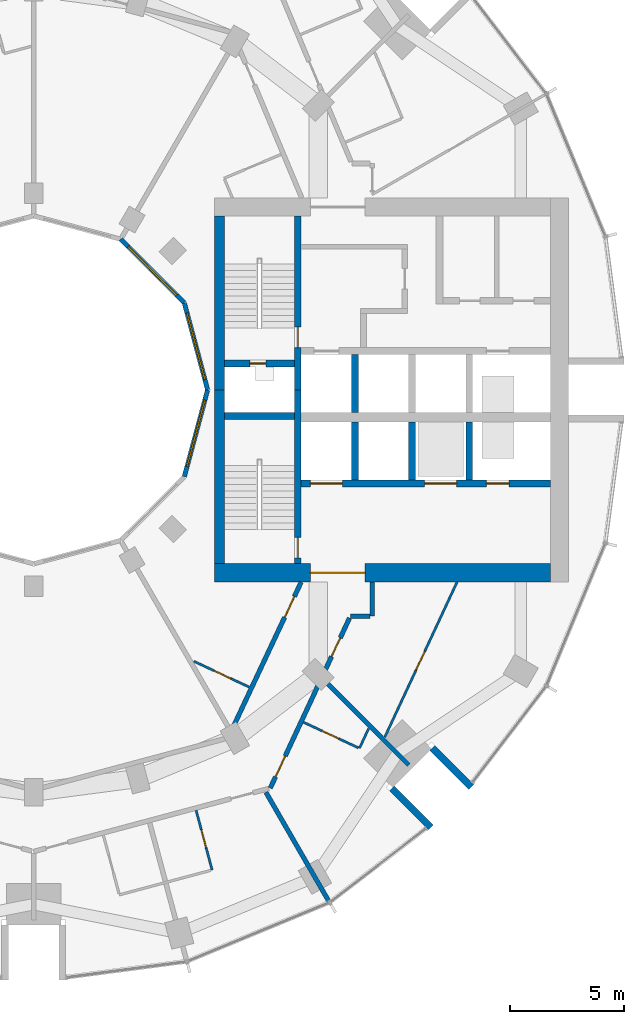
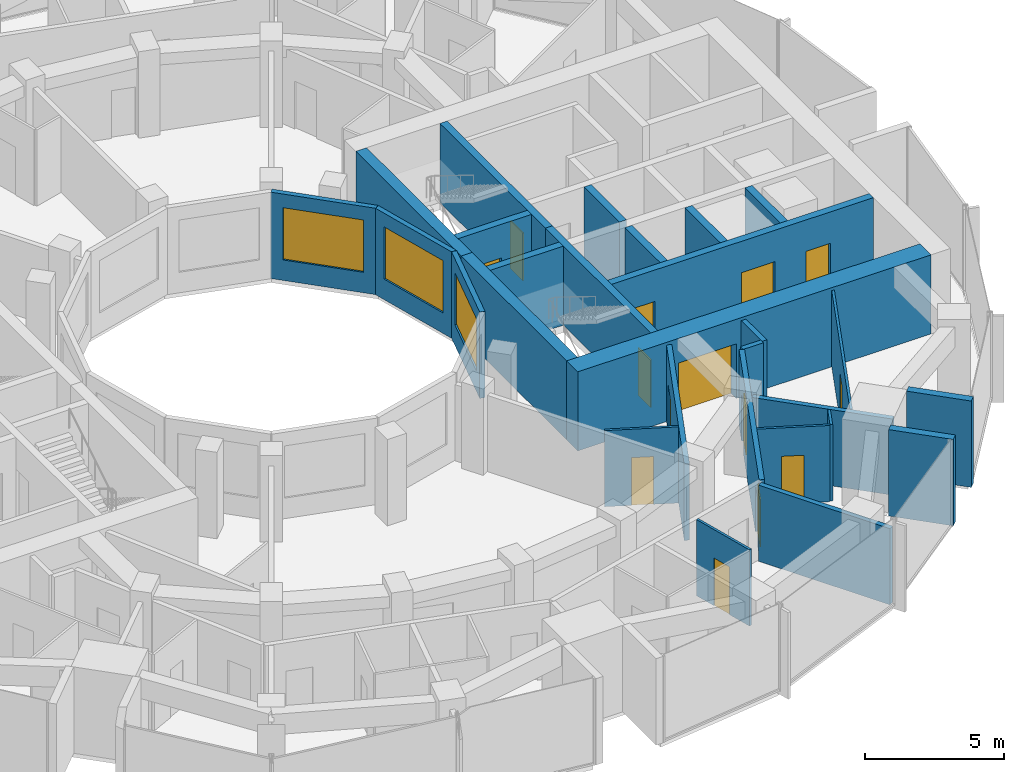
# One storey, part 10 of 15: 28 walls, 14 doors, 3 windows, 17 openings.
"""IFC4 building model written with IfcOpenShell, lengths in metres."""

from ifc_helpers import new_model, si_unit, direction, frame, frame_2d, origin, place, context, subcontext, project, spatial, rectangle, extrude, material, layer, layer_set, type_object, element, fill, save


model = new_model("IFC4")

# Units and contexts
model_context = context("Model", 3, precision=1e-05, world=origin(), true_north=direction((0.0, 1.0)))
body_context = subcontext(model_context, "Body", "Model", "MODEL_VIEW")
ifc_project = project(units=[si_unit("LENGTHUNIT", "METRE"), si_unit("AREAUNIT", "SQUARE_METRE"), si_unit("VOLUMEUNIT", "CUBIC_METRE"), si_unit("PLANEANGLEUNIT", "RADIAN"), si_unit("MASSUNIT", "GRAM", prefix="KILO")], contexts=[model_context])

# Site, building, storey
site_placement = place(None, origin())
site = spatial("IfcSite", under=ifc_project, at=site_placement, CompositionType="ELEMENT")
building_placement = place(site_placement, origin())
building = spatial("IfcBuilding", under=site, at=building_placement, Name="Torre Brocal", CompositionType="ELEMENT")
storey_placement = place(building_placement, frame((0.0, 0.0, 86.199951171875)))
storey = spatial("IfcBuildingStorey", under=building, at=storey_placement, Name="L19", CompositionType="ELEMENT", Elevation=86.199951171875)

# Wall, opening, door
ifc_material_1 = material(Name="Concrete C80", Category="concrete")
ifc_layer_1 = layer(ifc_material_1, 0.300048828125)
ifc_layer_set_1 = layer_set([ifc_layer_1], Name="Concrete C80")
wall_type_1 = type_object("IfcWallType", Name="CORE WALL 300 C80", PredefinedType="SHEAR", material=ifc_layer_set_1)
wall_1_placement = place(storey_placement, frame((91.550048828125, 75.0, 0.0), z_axis=(0.0, 0.0, 1.0), x_axis=(0.0, 1.0, 0.0)))
wall_1 = element("IfcWall", 1, at=wall_1_placement, inside=storey, type_object=wall_type_1, Name="Wall CW300-80", PredefinedType="SHEAR", context=body_context, shape_type="SweptSolid", body=[
    extrude(rectangle(XDim=7.60009765625, YDim=0.300048828125, at=frame_2d((3.800048828125, 0.0))), origin(), (0.0, 0.0, 1.0), 3.47998046875),
])
opening_1_placement = place(wall_1_placement, frame((1.85009765625, 0.0, 0.0)))
opening_1 = element("IfcOpeningElement", 2, at=opening_1_placement, cuts=wall_1, Name="Opening E-D02", PredefinedType="OPENING", context=body_context, shape_type="SweptSolid", body=[
    extrude(rectangle(XDim=0.89990234375, YDim=2.10009765625, at=frame_2d((0.449951171875, 1.050048828125))), frame((0.0, 0.159912109375, 0.0), z_axis=(0.0, -1.0, 0.0), x_axis=(1.0, 0.0, 0.0)), (0.0, 0.0, 1.0), 0.320068359375),
])
ifc_material_2 = material(Name="Steel A653", Category="steel")
door_type_1 = type_object("IfcDoorType", Name="STAIR DOOR FD120 900X2100", OperationType="SINGLE_SWING_RIGHT", PredefinedType="DOOR", material=ifc_material_2)
door_1_placement = place(opening_1_placement, origin())
door_1 = element("IfcDoor", 3, at=door_1_placement, inside=storey, type_object=door_type_1, Name="Door E-D02", OperationType="SINGLE_SWING_LEFT", OverallHeight=2.10009765625, OverallWidth=0.89990234375, PredefinedType="DOOR", context=body_context, shape_type="SweptSolid", body=[
    extrude(rectangle(XDim=0.89990234375, YDim=2.10009765625, at=frame_2d((0.449951171875, 1.050048828125))), frame((0.0, 0.02490234375, 0.0), z_axis=(0.0, -1.0, 0.0), x_axis=(1.0, 0.0, 0.0)), (0.0, 0.0, 1.0), 0.050048828125),
])
fill(opening_1, door_1)

wall_2_placement = place(storey_placement, frame((91.550048828125, 67.39990234375, 0.0), z_axis=(0.0, 0.0, 1.0), x_axis=(0.0, 1.0, 0.0)))
wall_2 = element("IfcWall", 4, at=wall_2_placement, inside=storey, type_object=wall_type_1, Name="Wall CW300-80", PredefinedType="SHEAR", context=body_context, shape_type="SweptSolid", body=[
    extrude(rectangle(XDim=7.60009765625, YDim=0.300048828125, at=frame_2d((3.800048828125, 0.0))), origin(), (0.0, 0.0, 1.0), 3.47998046875),
])
opening_2_placement = place(wall_2_placement, frame((0.25, 0.0, 0.0)))
opening_2 = element("IfcOpeningElement", 5, at=opening_2_placement, cuts=wall_2, Name="Opening E-D03", PredefinedType="OPENING", context=body_context, shape_type="SweptSolid", body=[
    extrude(rectangle(XDim=0.89990234375, YDim=2.10009765625, at=frame_2d((0.449951171875, 1.050048828125))), frame((0.0, 0.159912109375, 0.0), z_axis=(0.0, -1.0, 0.0), x_axis=(1.0, 0.0, 0.0)), (0.0, 0.0, 1.0), 0.320068359375),
])
door_2_placement = place(opening_2_placement, origin())
door_2 = element("IfcDoor", 6, at=door_2_placement, inside=storey, type_object=door_type_1, Name="Door E-D03", OperationType="SINGLE_SWING_LEFT", OverallHeight=2.10009765625, OverallWidth=0.89990234375, PredefinedType="DOOR", context=body_context, shape_type="SweptSolid", body=[
    extrude(rectangle(XDim=0.89990234375, YDim=2.10009765625, at=frame_2d((0.449951171875, 1.050048828125))), frame((0.0, 0.02490234375, 0.0), z_axis=(0.0, -1.0, 0.0), x_axis=(1.0, 0.0, 0.0)), (0.0, 0.0, 1.0), 0.050048828125),
])
fill(opening_2, door_2)

wall_3_placement = place(storey_placement, frame((88.35009765625, 76.14990234375, 0.0), z_axis=(0.0, 0.0, 1.0), x_axis=(1.0, 0.0, 0.0)))
wall_3 = element("IfcWall", 7, at=wall_3_placement, inside=storey, type_object=wall_type_1, Name="Wall CW300-80", PredefinedType="SHEAR", context=body_context, shape_type="SweptSolid", body=[
    extrude(rectangle(XDim=3.0498046875, YDim=0.300048828125, at=frame_2d((1.52490234375, 0.0))), origin(), (0.0, 0.0, 1.0), 3.47998046875),
])
opening_3_placement = place(wall_3_placement, frame((1.10009765625, 0.0, 0.0)))
opening_3 = element("IfcOpeningElement", 8, at=opening_3_placement, cuts=wall_3, Name="Opening E-D01", PredefinedType="OPENING", context=body_context, shape_type="SweptSolid", body=[
    extrude(rectangle(XDim=0.699951171875, YDim=2.0, at=frame_2d((0.35009765625, 1.0))), frame((0.0, 0.159912109375, 0.0), z_axis=(0.0, -1.0, 0.0), x_axis=(1.0, 0.0, 0.0)), (0.0, 0.0, 1.0), 0.320068359375),
])
ifc_material_3 = material(Name="Steel A653", Category="steel")
door_type_2 = type_object("IfcDoorType", Name="RISER DOOR FD120 700X2000", OperationType="SINGLE_SWING_LEFT", PredefinedType="DOOR", material=ifc_material_3)
door_3_placement = place(opening_3_placement, frame((0.699951171875, 0.0, 0.0), z_axis=(0.0, 0.0, 1.0), x_axis=(-1.0, 0.0, 0.0)))
door_3 = element("IfcDoor", 9, at=door_3_placement, inside=storey, type_object=door_type_2, Name="Door E-D01", OperationType="SINGLE_SWING_RIGHT", OverallHeight=2.0, OverallWidth=0.699951171875, PredefinedType="DOOR", context=body_context, shape_type="SweptSolid", body=[
    extrude(rectangle(XDim=0.699951171875, YDim=2.0, at=frame_2d((0.35009765625, 1.0))), frame((0.0, 0.02490234375, 0.0), z_axis=(0.0, -1.0, 0.0), x_axis=(1.0, 0.0, 0.0)), (0.0, 0.0, 1.0), 0.050048828125),
])
fill(opening_3, door_3)

# Wall
wall_4_placement = place(storey_placement, frame((88.35009765625, 73.85009765625, 0.0), z_axis=(0.0, 0.0, 1.0), x_axis=(1.0, 0.0, 0.0)))
element("IfcWall", 10, at=wall_4_placement, inside=storey, type_object=wall_type_1, Name="Wall CW300-80", PredefinedType="SHEAR", context=body_context, shape_type="SweptSolid", body=[
    extrude(rectangle(XDim=3.0498046875, YDim=0.300048828125, at=frame_2d((1.52490234375, 0.0))), origin(), (0.0, 0.0, 1.0), 3.47998046875),
])

# Wall, openings, doors
wall_5_placement = place(storey_placement, frame((91.699951171875, 70.89990234375, 0.0), z_axis=(0.0, 0.0, 1.0), x_axis=(1.0, 0.0, 0.0)))
wall_5 = element("IfcWall", 11, at=wall_5_placement, inside=storey, type_object=wall_type_1, Name="Wall CW300-80", PredefinedType="SHEAR", context=body_context, shape_type="SweptSolid", body=[
    extrude(rectangle(XDim=10.900146484375, YDim=0.300048828125, at=frame_2d((5.4501953125, 0.0))), origin(), (0.0, 0.0, 1.0), 3.47998046875),
])
opening_4_placement = place(wall_5_placement, frame((0.39990234375, 0.0, 0.0)))
opening_4 = element("IfcOpeningElement", 12, at=opening_4_placement, cuts=wall_5, Name="Opening LD14", PredefinedType="OPENING", context=body_context, shape_type="SweptSolid", body=[
    extrude(rectangle(XDim=1.39990234375, YDim=2.10009765625, at=frame_2d((0.699951171875, 1.050048828125))), frame((0.0, 0.159912109375, 0.0), z_axis=(0.0, -1.0, 0.0), x_axis=(1.0, 0.0, 0.0)), (0.0, 0.0, 1.0), 0.320068359375),
])
opening_5_placement = place(wall_5_placement, frame((5.39990234375, 0.0, 0.0)))
opening_5 = element("IfcOpeningElement", 13, at=opening_5_placement, cuts=wall_5, Name="Opening LD14", PredefinedType="OPENING", context=body_context, shape_type="SweptSolid", body=[
    extrude(rectangle(XDim=1.39990234375, YDim=2.10009765625, at=frame_2d((0.699951171875, 1.050048828125))), frame((0.0, 0.159912109375, 0.0), z_axis=(0.0, -1.0, 0.0), x_axis=(1.0, 0.0, 0.0)), (0.0, 0.0, 1.0), 0.320068359375),
])
opening_6_placement = place(wall_5_placement, frame((8.10009765625, 0.0, 0.0)))
opening_6 = element("IfcOpeningElement", 14, at=opening_6_placement, cuts=wall_5, Name="Opening LD10", PredefinedType="OPENING", context=body_context, shape_type="SweptSolid", body=[
    extrude(rectangle(XDim=1.0, YDim=2.10009765625, at=frame_2d((0.5, 1.050048828125))), frame((0.0, 0.159912109375, 0.0), z_axis=(0.0, -1.0, 0.0), x_axis=(1.0, 0.0, 0.0)), (0.0, 0.0, 1.0), 0.320068359375),
])
ifc_material_4 = material(Name="Stainless steel AISI 316", Category="steel")
door_type_3 = type_object("IfcDoorType", Name="LIFT LANDING DOOR 1000X2100", OperationType="DOUBLE_DOOR_SLIDING", PredefinedType="DOOR", material=ifc_material_4)
door_4_placement = place(opening_6_placement, origin())
door_4 = element("IfcDoor", 15, at=door_4_placement, inside=storey, type_object=door_type_3, Name="Door LD10", OperationType="DOUBLE_DOOR_SLIDING", OverallHeight=2.10009765625, OverallWidth=1.0, PredefinedType="DOOR", context=body_context, shape_type="SweptSolid", body=[
    extrude(rectangle(XDim=1.0, YDim=2.10009765625, at=frame_2d((0.5, 1.050048828125))), frame((0.0, 0.02490234375, 0.0), z_axis=(0.0, -1.0, 0.0), x_axis=(1.0, 0.0, 0.0)), (0.0, 0.0, 1.0), 0.050048828125),
])
fill(opening_6, door_4)
ifc_material_5 = material(Name="Stainless steel AISI 316", Category="steel")
door_type_4 = type_object("IfcDoorType", Name="LIFT LANDING DOOR 1400X2100", OperationType="DOUBLE_DOOR_SLIDING", PredefinedType="DOOR", material=ifc_material_5)
door_5_placement = place(opening_4_placement, origin())
door_5 = element("IfcDoor", 16, at=door_5_placement, inside=storey, type_object=door_type_4, Name="Door LD14", OperationType="DOUBLE_DOOR_SLIDING", OverallHeight=2.10009765625, OverallWidth=1.39990234375, PredefinedType="DOOR", context=body_context, shape_type="SweptSolid", body=[
    extrude(rectangle(XDim=1.39990234375, YDim=2.10009765625, at=frame_2d((0.699951171875, 1.050048828125))), frame((0.0, 0.02490234375, 0.0), z_axis=(0.0, -1.0, 0.0), x_axis=(1.0, 0.0, 0.0)), (0.0, 0.0, 1.0), 0.050048828125),
])
fill(opening_4, door_5)
door_6_placement = place(opening_5_placement, origin())
door_6 = element("IfcDoor", 17, at=door_6_placement, inside=storey, type_object=door_type_4, Name="Door LD14", OperationType="DOUBLE_DOOR_SLIDING", OverallHeight=2.10009765625, OverallWidth=1.39990234375, PredefinedType="DOOR", context=body_context, shape_type="SweptSolid", body=[
    extrude(rectangle(XDim=1.39990234375, YDim=2.10009765625, at=frame_2d((0.699951171875, 1.050048828125))), frame((0.0, 0.02490234375, 0.0), z_axis=(0.0, -1.0, 0.0), x_axis=(1.0, 0.0, 0.0)), (0.0, 0.0, 1.0), 0.050048828125),
])
fill(opening_5, door_6)

# Walls
for number, where, z_axis, x_axis, name in (
    (18, (94.050048828125, 74.0, 0.0), (0.0, 0.0, 1.0), (0.0, 1.0, 0.0), "Wall CW300-80"),
    (19, (94.050048828125, 71.050048828125, 0.0), (0.0, 0.0, 1.0), (0.0, 1.0, 0.0), "Wall CW300-80"),
    (20, (96.550048828125, 71.050048828125, 0.0), (0.0, 0.0, 1.0), (0.0, 1.0, 0.0), "Wall CW300-80"),
    (21, (99.050048828125, 71.050048828125, 0.0), (0.0, 0.0, 1.0), (0.0, 1.0, 0.0), "Wall CW300-80"),
):
    element("IfcWall", number, at=place(storey_placement, frame(where, z_axis=z_axis, x_axis=x_axis)), inside=storey, type_object=wall_type_1, Name=name, PredefinedType="SHEAR", context=body_context, shape_type="SweptSolid", body=[
        extrude(rectangle(XDim=2.550048828125, YDim=0.300048828125, at=frame_2d((1.27490234375, 0.0))), origin(), (0.0, 0.0, 1.0), 3.47998046875),
    ])
ifc_material_6 = material(Name="Concrete C80", Category="concrete")
ifc_layer_2 = layer(ifc_material_6, 0.449951171875)
ifc_layer_set_2 = layer_set([ifc_layer_2], Name="Concrete C80")
wall_type_2 = type_object("IfcWallType", Name="CORE WALL 450 C80", PredefinedType="SHEAR", material=ifc_layer_set_2)
for number, where, z_axis, x_axis, name in (
    (22, (88.125, 75.0, 0.0), (0.0, 0.0, 1.0), (0.0, 1.0, 0.0), "Wall CW450-80"),
    (23, (88.125, 67.39990234375, 0.0), (0.0, 0.0, 1.0), (0.0, 1.0, 0.0), "Wall CW450-80"),
):
    element("IfcWall", number, at=place(storey_placement, frame(where, z_axis=z_axis, x_axis=x_axis)), inside=storey, type_object=wall_type_2, Name=name, PredefinedType="SHEAR", context=body_context, shape_type="SweptSolid", body=[
        extrude(rectangle(XDim=7.60009765625, YDim=0.449951171875, at=frame_2d((3.800048828125, 0.0))), origin(), (0.0, 0.0, 1.0), 3.47998046875),
    ])

# Wall, opening, door
ifc_material_7 = material(Name="Concrete C80", Category="concrete")
ifc_layer_3 = layer(ifc_material_7, 0.800048828125)
ifc_layer_set_3 = layer_set([ifc_layer_3], Name="Concrete C80")
wall_type_3 = type_object("IfcWallType", Name="CORE WALL 800 C80", PredefinedType="SHEAR", material=ifc_layer_set_3)
wall_6_placement = place(storey_placement, frame((87.89990234375, 67.0, 0.0), z_axis=(0.0, 0.0, 1.0), x_axis=(1.0, 0.0, 0.0)))
wall_6 = element("IfcWall", 24, at=wall_6_placement, inside=storey, type_object=wall_type_3, Name="Wall CW800-80", PredefinedType="SHEAR", context=body_context, shape_type="SweptSolid", body=[
    extrude(rectangle(XDim=14.7001953125, YDim=0.800048828125, at=frame_2d((7.35009765625, 0.0))), origin(), (0.0, 0.0, 1.0), 3.47998046875),
])
opening_7_placement = place(wall_6_placement, frame((4.199951171875, 0.0, 0.0)))
opening_7 = element("IfcOpeningElement", 25, at=opening_7_placement, cuts=wall_6, Name="Opening E-D27", PredefinedType="OPENING", context=body_context, shape_type="SweptSolid", body=[
    extrude(rectangle(XDim=2.39990234375, YDim=2.39990234375, at=frame_2d((1.199951171875, 1.199951171875))), frame((0.0, 0.409912109375, 0.0), z_axis=(0.0, -1.0, 0.0), x_axis=(1.0, 0.0, 0.0)), (0.0, 0.0, 1.0), 0.820068359375),
])
ifc_material_8 = material(Name="Steel A653", Category="steel")
door_type_5 = type_object("IfcDoorType", Name="DOUBLE FIRE DOOR FD90 2400X2400", OperationType="DOUBLE_DOOR_SINGLE_SWING", PredefinedType="DOOR", material=ifc_material_8)
door_7_placement = place(opening_7_placement, origin())
door_7 = element("IfcDoor", 26, at=door_7_placement, inside=storey, type_object=door_type_5, Name="Door E-D27", OperationType="DOUBLE_DOOR_SINGLE_SWING", OverallHeight=2.39990234375, OverallWidth=2.39990234375, PredefinedType="DOOR", context=body_context, shape_type="SweptSolid", body=[
    extrude(rectangle(XDim=2.39990234375, YDim=2.39990234375, at=frame_2d((1.199951171875, 1.199951171875))), frame((0.0, 0.02490234375, 0.0), z_axis=(0.0, -1.0, 0.0), x_axis=(1.0, 0.0, 0.0)), (0.0, 0.0, 1.0), 0.050048828125),
])
fill(opening_7, door_7)

# Walls
ifc_material_9 = material(Name="Concrete C80", Category="concrete")
ifc_layer_4 = layer(ifc_material_9, 0.300048828125)
ifc_layer_set_4 = layer_set([ifc_layer_4], Name="Concrete C80")
wall_type_4 = type_object("IfcWallType", Name="NOTCH RETURN WALL 300 C80", PredefinedType="NOTDEFINED", material=ifc_layer_set_4)
for number, where, z_axis, x_axis, name in (
    (27, (95.662353515625, 57.56982421875, 0.0), (0.0, 0.0, 1.0), (0.707106781187, -0.707106781187, 0.0), "NOTCH RETURN WALL"),
    (28, (97.43017578125, 59.337646484375, 0.0), (0.0, 0.0, 1.0), (0.707106781187, -0.707106781187, 0.0), "NOTCH RETURN WALL"),
):
    element("IfcWall", number, at=place(storey_placement, frame(where, z_axis=z_axis, x_axis=x_axis)), inside=storey, type_object=wall_type_4, Name=name, PredefinedType="NOTDEFINED", context=body_context, shape_type="SweptSolid", body=[
        extrude(rectangle(XDim=2.415771484375, YDim=0.300048828125, at=frame_2d((1.2080078125, 0.0))), origin(), (0.0, 0.0, 1.0), 3.800048828125),
    ])

# Wall, opening, door
ifc_material_10 = material(Name="Gypsum board", Category="Gypsum")
ifc_layer_5 = layer(ifc_material_10, 0.10009765625)
ifc_layer_set_5 = layer_set([ifc_layer_5], Name="Gypsum board")
wall_type_5 = type_object("IfcWallType", Name="PARTITION 100", PredefinedType="PARTITIONING", material=ifc_layer_set_5)
wall_7_placement = place(storey_placement, frame((87.006103515625, 63.124267578125, 0.0), z_axis=(0.0, 0.0, 1.0), x_axis=(0.906535604863, -0.422129360642, 0.0)))
wall_7 = element("IfcWall", 29, at=wall_7_placement, inside=storey, type_object=wall_type_5, Name="BATHROOM WALL", PredefinedType="PARTITIONING", context=body_context, shape_type="SweptSolid", body=[
    extrude(rectangle(XDim=2.669677734375, YDim=0.10009765625, at=frame_2d((1.3349609375, 0.0))), origin(), (0.0, 0.0, 1.0), 3.35009765625),
])
opening_8_placement = place(wall_7_placement, frame((0.969970703125, 0.0, 0.0)))
opening_8 = element("IfcOpeningElement", 30, at=opening_8_placement, cuts=wall_7, Name="Opening H05-D42", PredefinedType="OPENING", context=body_context, shape_type="SweptSolid", body=[
    extrude(rectangle(XDim=0.800048828125, YDim=2.10009765625, at=frame_2d((0.39990234375, 1.050048828125))), frame((0.0, 0.06005859375, 0.0), z_axis=(0.0, -1.0, 0.0), x_axis=(1.0, 0.0, 0.0)), (0.0, 0.0, 1.0), 0.1201171875),
])
ifc_material_11 = material(Name="Timber", Category="wood")
door_type_6 = type_object("IfcDoorType", Name="BATHROOM DOOR 800X2100", OperationType="SINGLE_SWING_LEFT", PredefinedType="DOOR", material=ifc_material_11)
door_8_placement = place(opening_8_placement, frame((0.800048828125, 0.0, 0.0), z_axis=(0.0, 0.0, 1.0), x_axis=(-1.0, 0.0, 0.0)))
door_8 = element("IfcDoor", 31, at=door_8_placement, inside=storey, type_object=door_type_6, Name="H05-D42", OperationType="SINGLE_SWING_RIGHT", OverallHeight=2.10009765625, OverallWidth=0.800048828125, PredefinedType="DOOR", context=body_context, shape_type="SweptSolid", body=[
    extrude(rectangle(XDim=0.800048828125, YDim=2.10009765625, at=frame_2d((0.39990234375, 1.050048828125))), frame((0.0, 0.02490234375, 0.0), z_axis=(0.0, -1.0, 0.0), x_axis=(1.0, 0.0, 0.0)), (0.0, 0.0, 1.0), 0.050048828125),
])
fill(opening_8, door_8)

wall_8_placement = place(storey_placement, frame((87.10302734375, 56.60400390625, 0.0), z_axis=(0.0, 0.0, 1.0), x_axis=(0.258883730688, -0.965908491517, 0.0)))
wall_8 = element("IfcWall", 32, at=wall_8_placement, inside=storey, type_object=wall_type_5, Name="BATHROOM WALL", PredefinedType="PARTITIONING", context=body_context, shape_type="SweptSolid", body=[
    extrude(rectangle(XDim=2.699951171875, YDim=0.10009765625, at=frame_2d((1.35009765625, 0.0))), origin(), (0.0, 0.0, 1.0), 3.35009765625),
])
opening_9_placement = place(wall_8_placement, frame((0.899658203125, 0.0, 0.0)))
opening_9 = element("IfcOpeningElement", 33, at=opening_9_placement, cuts=wall_8, Name="Opening H05-D29", PredefinedType="OPENING", context=body_context, shape_type="SweptSolid", body=[
    extrude(rectangle(XDim=0.800048828125, YDim=2.10009765625, at=frame_2d((0.39990234375, 1.050048828125))), frame((0.0, 0.06005859375, 0.0), z_axis=(0.0, -1.0, 0.0), x_axis=(1.0, 0.0, 0.0)), (0.0, 0.0, 1.0), 0.1201171875),
])
door_9_placement = place(opening_9_placement, frame((0.800048828125, 0.0, 0.0), z_axis=(0.0, 0.0, 1.0), x_axis=(-1.0, 0.0, 0.0)))
door_9 = element("IfcDoor", 34, at=door_9_placement, inside=storey, type_object=door_type_6, Name="H05-D29", OperationType="SINGLE_SWING_RIGHT", OverallHeight=2.10009765625, OverallWidth=0.800048828125, PredefinedType="DOOR", context=body_context, shape_type="SweptSolid", body=[
    extrude(rectangle(XDim=0.800048828125, YDim=2.10009765625, at=frame_2d((0.39990234375, 1.050048828125))), frame((0.0, 0.02490234375, 0.0), z_axis=(0.0, -1.0, 0.0), x_axis=(1.0, 0.0, 0.0)), (0.0, 0.0, 1.0), 0.050048828125),
])
fill(opening_9, door_9)

wall_9_placement = place(storey_placement, frame((91.7998046875, 60.458740234375, 0.0), z_axis=(0.0, 0.0, 1.0), x_axis=(0.906644059932, -0.421896371861, 0.0)))
wall_9 = element("IfcWall", 35, at=wall_9_placement, inside=storey, type_object=wall_type_5, Name="BATHROOM WALL", PredefinedType="PARTITIONING", context=body_context, shape_type="SweptSolid", body=[
    extrude(rectangle(XDim=2.649169921875, YDim=0.10009765625, at=frame_2d((1.32470703125, 0.0))), origin(), (0.0, 0.0, 1.0), 3.35009765625),
])
opening_10_placement = place(wall_9_placement, frame((0.8994140625, 0.0, 0.0)))
opening_10 = element("IfcOpeningElement", 36, at=opening_10_placement, cuts=wall_9, Name="Opening H05-D27", PredefinedType="OPENING", context=body_context, shape_type="SweptSolid", body=[
    extrude(rectangle(XDim=0.800048828125, YDim=2.10009765625, at=frame_2d((0.39990234375, 1.050048828125))), frame((0.0, 0.06005859375, 0.0), z_axis=(0.0, -1.0, 0.0), x_axis=(1.0, 0.0, 0.0)), (0.0, 0.0, 1.0), 0.1201171875),
])
door_10_placement = place(opening_10_placement, origin())
door_10 = element("IfcDoor", 37, at=door_10_placement, inside=storey, type_object=door_type_6, Name="H05-D27", OperationType="SINGLE_SWING_LEFT", OverallHeight=2.10009765625, OverallWidth=0.800048828125, PredefinedType="DOOR", context=body_context, shape_type="SweptSolid", body=[
    extrude(rectangle(XDim=0.800048828125, YDim=2.10009765625, at=frame_2d((0.39990234375, 1.050048828125))), frame((0.0, 0.02490234375, 0.0), z_axis=(0.0, -1.0, 0.0), x_axis=(1.0, 0.0, 0.0)), (0.0, 0.0, 1.0), 0.050048828125),
])
fill(opening_10, door_10)

# Wall
wall_10_placement = place(storey_placement, frame((94.2470703125, 59.320068359375, 0.0), z_axis=(0.0, 0.0, 1.0), x_axis=(0.422660124657, 0.906288264861, 0.0)))
element("IfcWall", 38, at=wall_10_placement, inside=storey, type_object=wall_type_5, Name="BATHROOM WALL", PredefinedType="PARTITIONING", context=body_context, shape_type="SweptSolid", body=[
    extrude(rectangle(XDim=0.948974609375, YDim=0.10009765625, at=frame_2d((0.474609375, 0.0))), origin(), (0.0, 0.0, 1.0), 3.35009765625),
])

# Wall, opening, door
wall_11_placement = place(storey_placement, frame((95.354736328125, 59.805908203125, 0.0), z_axis=(0.0, 0.0, 1.0), x_axis=(0.422407546544, 0.906406015328, 0.0)))
wall_11 = element("IfcWall", 39, at=wall_11_placement, inside=storey, type_object=wall_type_5, Name="ROOM PARTITION", PredefinedType="PARTITIONING", context=body_context, shape_type="SweptSolid", body=[
    extrude(rectangle(XDim=7.495849609375, YDim=0.10009765625, at=frame_2d((3.748046875, 0.0))), origin(), (0.0, 0.0, 1.0), 3.35009765625),
])
opening_11_placement = place(wall_11_placement, frame((3.23779296875, 0.0, 0.0)))
opening_11 = element("IfcOpeningElement", 40, at=opening_11_placement, cuts=wall_11, Name="Opening H05-D25", PredefinedType="OPENING", context=body_context, shape_type="SweptSolid", body=[
    extrude(rectangle(XDim=0.89990234375, YDim=2.10009765625, at=frame_2d((0.449951171875, 1.050048828125))), frame((0.0, 0.06005859375, 0.0), z_axis=(0.0, -1.0, 0.0), x_axis=(1.0, 0.0, 0.0)), (0.0, 0.0, 1.0), 0.1201171875),
])
ifc_material_12 = material(Name="Timber", Category="wood")
door_type_7 = type_object("IfcDoorType", Name="ROOM DOOR 900X2100", OperationType="SINGLE_SWING_LEFT", PredefinedType="DOOR", material=ifc_material_12)
door_11_placement = place(opening_11_placement, origin())
door_11 = element("IfcDoor", 41, at=door_11_placement, inside=storey, type_object=door_type_7, Name="H05-D25", OperationType="SINGLE_SWING_RIGHT", OverallHeight=2.10009765625, OverallWidth=0.89990234375, PredefinedType="DOOR", context=body_context, shape_type="SweptSolid", body=[
    extrude(rectangle(XDim=0.89990234375, YDim=2.10009765625, at=frame_2d((0.449951171875, 1.050048828125))), frame((0.0, 0.02490234375, 0.0), z_axis=(0.0, -1.0, 0.0), x_axis=(1.0, 0.0, 0.0)), (0.0, 0.0, 1.0), 0.050048828125),
])
fill(opening_11, door_11)

ifc_material_13 = material(Name="Gypsum board", Category="Gypsum")
ifc_layer_6 = layer(ifc_material_13, 0.199951171875)
ifc_layer_set_6 = layer_set([ifc_layer_6], Name="Gypsum board")
wall_type_6 = type_object("IfcWallType", Name="PARTITION 200 EI60", PredefinedType="PARTITIONING", material=ifc_layer_set_6)
wall_12_placement = place(storey_placement, frame((88.500732421875, 59.774658203125, 0.0), z_axis=(0.0, 0.0, 1.0), x_axis=(0.424700525505, 0.905333896215, 0.0)))
wall_12 = element("IfcWall", 42, at=wall_12_placement, inside=storey, type_object=wall_type_6, Name="GUESTROOM CORRIDOR WALL", PredefinedType="PARTITIONING", context=body_context, shape_type="SweptSolid", body=[
    extrude(rectangle(XDim=7.529541015625, YDim=0.199951171875, at=frame_2d((3.7646484375, 0.0))), origin(), (0.0, 0.0, 1.0), 3.35009765625),
])
opening_12_placement = place(wall_12_placement, frame((5.82958984375, 0.0, 0.0)))
opening_12 = element("IfcOpeningElement", 43, at=opening_12_placement, cuts=wall_12, Name="Opening H05-D41", PredefinedType="OPENING", context=body_context, shape_type="SweptSolid", body=[
    extrude(rectangle(XDim=1.0, YDim=2.10009765625, at=frame_2d((0.5, 1.050048828125))), frame((0.0, 0.10986328125, 0.0), z_axis=(0.0, -1.0, 0.0), x_axis=(1.0, 0.0, 0.0)), (0.0, 0.0, 1.0), 0.219970703125),
])
ifc_material_14 = material(Name="Timber", Category="wood")
door_type_8 = type_object("IfcDoorType", Name="FLAT ENTRY DOOR FD30S 1000X2100", OperationType="SINGLE_SWING_RIGHT", PredefinedType="DOOR", material=ifc_material_14)
door_12_placement = place(opening_12_placement, origin())
door_12 = element("IfcDoor", 44, at=door_12_placement, inside=storey, type_object=door_type_8, Name="H05-D41", OperationType="SINGLE_SWING_RIGHT", OverallHeight=2.10009765625, OverallWidth=1.0, PredefinedType="DOOR", context=body_context, shape_type="SweptSolid", body=[
    extrude(rectangle(XDim=1.0, YDim=2.10009765625, at=frame_2d((0.5, 1.050048828125))), frame((0.0, 0.02490234375, 0.0), z_axis=(0.0, -1.0, 0.0), x_axis=(1.0, 0.0, 0.0)), (0.0, 0.0, 1.0), 0.050048828125),
])
fill(opening_12, door_12)

# Wall
wall_13_placement = place(storey_placement, frame((90.156982421875, 57.393798828125, 0.0), z_axis=(0.0, 0.0, 1.0), x_axis=(0.499815153866, -0.86613209845, 0.0)))
element("IfcWall", 45, at=wall_13_placement, inside=storey, type_object=wall_type_6, Name="PARTY PARTITION", PredefinedType="PARTITIONING", context=body_context, shape_type="SweptSolid", body=[
    extrude(rectangle(XDim=5.4716796875, YDim=0.199951171875, at=frame_2d((2.73583984375, 0.0))), origin(), (0.0, 0.0, 1.0), 3.35009765625),
])

# Wall, openings, doors
wall_14_placement = place(storey_placement, frame((90.346435546875, 57.577880859375, 0.0), z_axis=(0.0, 0.0, 1.0), x_axis=(0.422403412327, 0.906407941964, 0.0)))
wall_14 = element("IfcWall", 46, at=wall_14_placement, inside=storey, type_object=wall_type_6, Name="GUESTROOM CORRIDOR WALL", PredefinedType="PARTITIONING", context=body_context, shape_type="SweptSolid", body=[
    extrude(rectangle(XDim=8.2080078125, YDim=0.199951171875, at=frame_2d((4.10400390625, 0.0))), origin(), (0.0, 0.0, 1.0), 3.35009765625),
])
opening_13_placement = place(wall_14_placement, frame((6.351318359375, 0.0, 0.0)))
opening_13 = element("IfcOpeningElement", 47, at=opening_13_placement, cuts=wall_14, Name="Opening H05-D24", PredefinedType="OPENING", context=body_context, shape_type="SweptSolid", body=[
    extrude(rectangle(XDim=0.89990234375, YDim=2.10009765625, at=frame_2d((0.449951171875, 1.050048828125))), frame((0.0, 0.10986328125, 0.0), z_axis=(0.0, -1.0, 0.0), x_axis=(1.0, 0.0, 0.0)), (0.0, 0.0, 1.0), 0.219970703125),
])
opening_14_placement = place(wall_14_placement, frame((0.550048828125, 0.0, 0.0)))
opening_14 = element("IfcOpeningElement", 48, at=opening_14_placement, cuts=wall_14, Name="Opening H05-D26", PredefinedType="OPENING", context=body_context, shape_type="SweptSolid", body=[
    extrude(rectangle(XDim=1.0, YDim=2.10009765625, at=frame_2d((0.5, 1.050048828125))), frame((0.0, 0.10986328125, 0.0), z_axis=(0.0, -1.0, 0.0), x_axis=(1.0, 0.0, 0.0)), (0.0, 0.0, 1.0), 0.219970703125),
])
door_13_placement = place(opening_14_placement, frame((1.0, 0.0, 0.0), z_axis=(0.0, 0.0, 1.0), x_axis=(-1.0, 0.0, 0.0)))
door_13 = element("IfcDoor", 49, at=door_13_placement, inside=storey, type_object=door_type_8, Name="H05-D26", OperationType="SINGLE_SWING_RIGHT", OverallHeight=2.10009765625, OverallWidth=1.0, PredefinedType="DOOR", context=body_context, shape_type="SweptSolid", body=[
    extrude(rectangle(XDim=1.0, YDim=2.10009765625, at=frame_2d((0.5, 1.050048828125))), frame((0.0, 0.02490234375, 0.0), z_axis=(0.0, -1.0, 0.0), x_axis=(1.0, 0.0, 0.0)), (0.0, 0.0, 1.0), 0.050048828125),
])
fill(opening_14, door_13)
door_14_placement = place(opening_13_placement, frame((0.89990234375, 0.0, 0.0), z_axis=(0.0, 0.0, 1.0), x_axis=(-1.0, 0.0, 0.0)))
door_14 = element("IfcDoor", 50, at=door_14_placement, inside=storey, type_object=door_type_7, Name="H05-D24", OperationType="SINGLE_SWING_RIGHT", OverallHeight=2.10009765625, OverallWidth=0.89990234375, PredefinedType="DOOR", context=body_context, shape_type="SweptSolid", body=[
    extrude(rectangle(XDim=0.89990234375, YDim=2.10009765625, at=frame_2d((0.449951171875, 1.050048828125))), frame((0.0, 0.02490234375, 0.0), z_axis=(0.0, -1.0, 0.0), x_axis=(1.0, 0.0, 0.0)), (0.0, 0.0, 1.0), 0.050048828125),
])
fill(opening_13, door_14)

# Walls
wall_15_placement = place(storey_placement, frame((92.69189453125, 62.303466796875, 0.0), z_axis=(0.0, 0.0, 1.0), x_axis=(0.706920663731, -0.707292849667, 0.0)))
element("IfcWall", 51, at=wall_15_placement, inside=storey, type_object=wall_type_6, Name="BATHROOM WALL", PredefinedType="PARTITIONING", context=body_context, shape_type="SweptSolid", body=[
    extrude(rectangle(XDim=5.247802734375, YDim=0.199951171875, at=frame_2d((2.6240234375, 0.0))), origin(), (0.0, 0.0, 1.0), 3.35009765625),
])
wall_16_placement = place(storey_placement, frame((93.85107421875, 65.10009765625, 0.0), z_axis=(0.0, 0.0, 1.0), x_axis=(1.0, 0.0, 0.0)))
element("IfcWall", 52, at=wall_16_placement, inside=storey, type_object=wall_type_6, Name="CORRIDOR WALL", PredefinedType="PARTITIONING", context=body_context, shape_type="SweptSolid", body=[
    extrude(rectangle(XDim=0.848876953125, YDim=0.199951171875, at=frame_2d((0.42431640625, 0.0))), origin(), (0.0, 0.0, 1.0), 3.35009765625),
])
wall_17_placement = place(storey_placement, frame((94.800048828125, 65.10009765625, 0.0), z_axis=(0.0, 0.0, 1.0), x_axis=(0.0, 1.0, 0.0)))
element("IfcWall", 53, at=wall_17_placement, inside=storey, type_object=wall_type_6, Name="CORRIDOR WALL", PredefinedType="PARTITIONING", context=body_context, shape_type="SweptSolid", body=[
    extrude(rectangle(XDim=1.4990234375, YDim=0.199951171875, at=frame_2d((0.74951171875, 0.0))), origin(), (0.0, 0.0, 1.0), 3.35009765625),
])

# Wall, opening, window
ifc_material_15 = material(Name="Concrete C40", Category="concrete")
ifc_layer_7 = layer(ifc_material_15, 0.199951171875)
ifc_layer_set_7 = layer_set([ifc_layer_7], Name="Concrete C40")
wall_type_7 = type_object("IfcWallType", Name="WELL FACADE WALL 200", PredefinedType="NOTDEFINED", material=ifc_layer_set_7)
wall_18_placement = place(storey_placement, frame((87.603515625, 75.0, 0.0), z_axis=(0.0, 0.0, 1.0), x_axis=(-0.258789828301, 0.965933654434, 0.0)))
wall_18 = element("IfcWall", 54, at=wall_18_placement, inside=storey, type_object=wall_type_7, Name="WELL FACADE WALL", PredefinedType="NOTDEFINED", context=body_context, shape_type="SweptSolid", body=[
    extrude(rectangle(XDim=3.935791015625, YDim=0.199951171875, at=frame_2d((1.9677734375, 0.0))), origin(), (0.0, 0.0, 1.0), 3.800048828125),
])
opening_15_placement = place(wall_18_placement, frame((0.468017578125, 0.0, 0.89990234375)))
opening_15 = element("IfcOpeningElement", 55, at=opening_15_placement, cuts=wall_18, Name="Opening W1", PredefinedType="OPENING", context=body_context, shape_type="SweptSolid", body=[
    extrude(rectangle(XDim=3.0, YDim=2.300048828125, at=frame_2d((1.5, 1.14990234375))), frame((0.0, 0.10986328125, 0.0), z_axis=(0.0, -1.0, 0.0), x_axis=(1.0, 0.0, 0.0)), (0.0, 0.0, 1.0), 0.219970703125),
])
ifc_material_16 = material(Name="Aluminium and glass", Category="aluminium")
window_type = type_object("IfcWindowType", Name="WELL WINDOW 3000X2300", PartitioningType="SINGLE_PANEL", PredefinedType="WINDOW", material=ifc_material_16)
window_1_placement = place(opening_15_placement, origin())
window_1 = element("IfcWindow", 56, at=window_1_placement, inside=storey, type_object=window_type, Name="WELL WINDOW 3000X2300", OverallHeight=2.300048828125, OverallWidth=3.0, PartitioningType="SINGLE_PANEL", PredefinedType="WINDOW", context=body_context, shape_type="SweptSolid", body=[
    extrude(rectangle(XDim=3.0, YDim=2.300048828125, at=frame_2d((1.5, 1.14990234375))), frame((0.0, 0.030029296875, 0.0), z_axis=(0.0, -1.0, 0.0), x_axis=(1.0, 0.0, 0.0)), (0.0, 0.0, 1.0), 0.06005859375),
])
fill(opening_15, window_1)

wall_19_placement = place(storey_placement, frame((86.5849609375, 78.8017578125, 0.0), z_axis=(0.0, 0.0, 1.0), x_axis=(-0.707106781187, 0.707106781187, 0.0)))
wall_19 = element("IfcWall", 57, at=wall_19_placement, inside=storey, type_object=wall_type_7, Name="WELL FACADE WALL", PredefinedType="NOTDEFINED", context=body_context, shape_type="SweptSolid", body=[
    extrude(rectangle(XDim=3.93603515625, YDim=0.199951171875, at=frame_2d((1.968017578125, 0.0))), origin(), (0.0, 0.0, 1.0), 3.800048828125),
])
opening_16_placement = place(wall_19_placement, frame((0.468017578125, 0.0, 0.89990234375)))
opening_16 = element("IfcOpeningElement", 58, at=opening_16_placement, cuts=wall_19, Name="Opening W1", PredefinedType="OPENING", context=body_context, shape_type="SweptSolid", body=[
    extrude(rectangle(XDim=3.0, YDim=2.300048828125, at=frame_2d((1.5, 1.14990234375))), frame((0.0, 0.10986328125, 0.0), z_axis=(0.0, -1.0, 0.0), x_axis=(1.0, 0.0, 0.0)), (0.0, 0.0, 1.0), 0.219970703125),
])
window_2_placement = place(opening_16_placement, origin())
window_2 = element("IfcWindow", 59, at=window_2_placement, inside=storey, type_object=window_type, Name="WELL WINDOW 3000X2300", OverallHeight=2.300048828125, OverallWidth=3.0, PartitioningType="SINGLE_PANEL", PredefinedType="WINDOW", context=body_context, shape_type="SweptSolid", body=[
    extrude(rectangle(XDim=3.0, YDim=2.300048828125, at=frame_2d((1.5, 1.14990234375))), frame((0.0, 0.030029296875, 0.0), z_axis=(0.0, -1.0, 0.0), x_axis=(1.0, 0.0, 0.0)), (0.0, 0.0, 1.0), 0.06005859375),
])
fill(opening_16, window_2)

wall_20_placement = place(storey_placement, frame((86.5849609375, 71.1982421875, 0.0), z_axis=(0.0, 0.0, 1.0), x_axis=(0.258789828301, 0.965933654434, 0.0)))
wall_20 = element("IfcWall", 60, at=wall_20_placement, inside=storey, type_object=wall_type_7, Name="WELL FACADE WALL", PredefinedType="NOTDEFINED", context=body_context, shape_type="SweptSolid", body=[
    extrude(rectangle(XDim=3.935791015625, YDim=0.199951171875, at=frame_2d((1.9677734375, 0.0))), origin(), (0.0, 0.0, 1.0), 3.800048828125),
])
opening_17_placement = place(wall_20_placement, frame((0.468017578125, 0.0, 0.89990234375)))
opening_17 = element("IfcOpeningElement", 61, at=opening_17_placement, cuts=wall_20, Name="Opening W1", PredefinedType="OPENING", context=body_context, shape_type="SweptSolid", body=[
    extrude(rectangle(XDim=3.0, YDim=2.300048828125, at=frame_2d((1.5, 1.14990234375))), frame((0.0, 0.10986328125, 0.0), z_axis=(0.0, -1.0, 0.0), x_axis=(1.0, 0.0, 0.0)), (0.0, 0.0, 1.0), 0.219970703125),
])
window_3_placement = place(opening_17_placement, origin())
window_3 = element("IfcWindow", 62, at=window_3_placement, inside=storey, type_object=window_type, Name="WELL WINDOW 3000X2300", OverallHeight=2.300048828125, OverallWidth=3.0, PartitioningType="SINGLE_PANEL", PredefinedType="WINDOW", context=body_context, shape_type="SweptSolid", body=[
    extrude(rectangle(XDim=3.0, YDim=2.300048828125, at=frame_2d((1.5, 1.14990234375))), frame((0.0, 0.030029296875, 0.0), z_axis=(0.0, -1.0, 0.0), x_axis=(1.0, 0.0, 0.0)), (0.0, 0.0, 1.0), 0.06005859375),
])
fill(opening_17, window_3)

save(model, "model.ifc")
